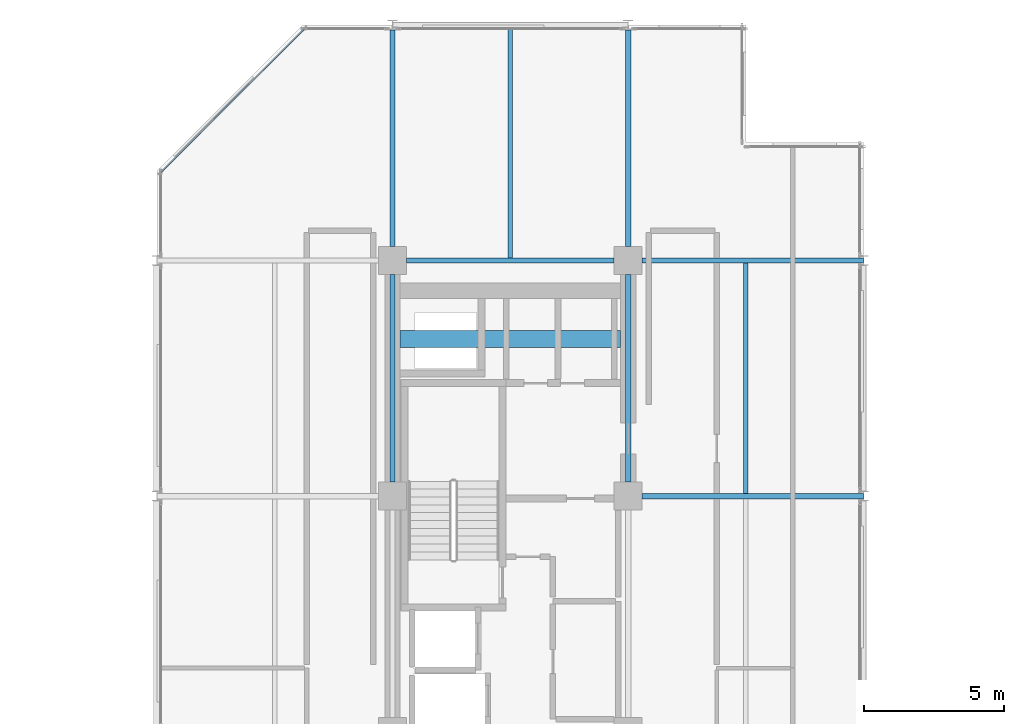
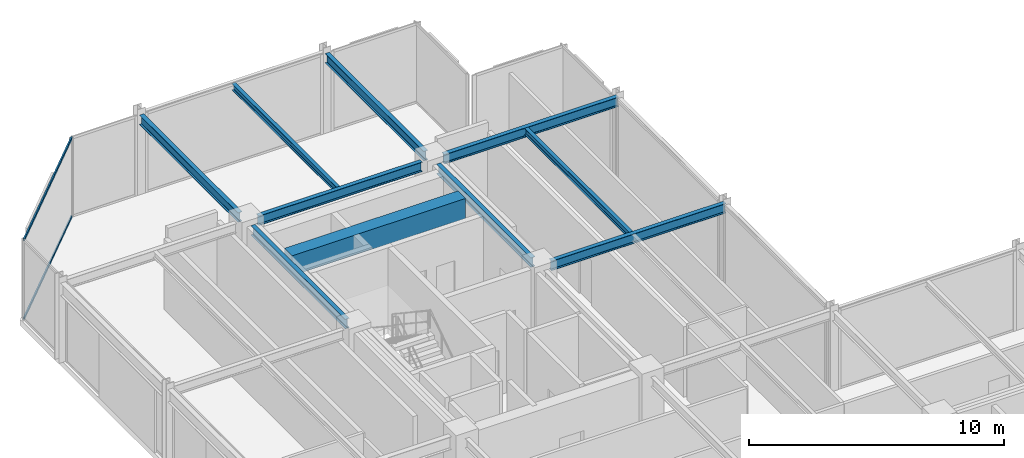
# One storey, part 18 of 29: 10 beams, 2 members, 1 element without a shape of its own.
"""IFC4 building model written with IfcOpenShell, lengths in metres."""

from ifc_helpers import new_model, si_unit, direction, frame, origin, origin_2d, place, context, subcontext, project, spatial, rectangle, hollow_rectangle, i_section, extrude, material, layer, layer_set, material_profile, profile_set, type_object, element, aggregate, save


model = new_model("IFC4")

# Units and contexts
model_context = context("Model", 3, precision=1e-05, world=origin(), true_north=direction((0.0, 1.0)))
body_context = subcontext(model_context, "Body", "Model", "MODEL_VIEW")
ifc_project = project(units=[si_unit("LENGTHUNIT", "METRE"), si_unit("AREAUNIT", "SQUARE_METRE"), si_unit("VOLUMEUNIT", "CUBIC_METRE"), si_unit("PLANEANGLEUNIT", "RADIAN"), si_unit("MASSUNIT", "GRAM", prefix="KILO")], contexts=[model_context])

# Site, building, storey
site_placement = place(None, origin())
site = spatial("IfcSite", under=ifc_project, at=site_placement, CompositionType="ELEMENT")
building_placement = place(site_placement, origin())
building = spatial("IfcBuilding", under=site, at=building_placement, Name="Nerrivon Quay Data Exchange", CompositionType="ELEMENT")
storey_placement = place(building_placement, frame((0.0, 0.0, 212.39990234375)))
storey = spatial("IfcBuildingStorey", under=building, at=storey_placement, Name="L50", CompositionType="ELEMENT", Elevation=212.39990234375)

# Beams
ifc_material_1 = material(Name="Concrete N50 (50 MPa)", Category="concrete")
ifc_material_profile_1 = material_profile(ifc_material_1, rectangle(XDim=0.60009765625, YDim=0.949951171875, at=origin_2d()), Name="RC-CB-600x950")
ifc_profile_set_1 = profile_set([ifc_material_profile_1], Name="Concrete N50 (50 MPa)")
beam_type_1 = type_object("IfcBeamType", Name="BM-CB2-600x950", PredefinedType="LINTEL", material=ifc_profile_set_1)
beam_1_placement = place(storey_placement, frame((8.675048828125, 39.199951171875, 3.35009765625), z_axis=(1.0, 0.0, 0.0), x_axis=(0.0, 1.0, 0.0)))
element("IfcBeam", 1, at=beam_1_placement, inside=storey, type_object=beam_type_1, Name="L50 West Core Coupling Beam", PredefinedType="LINTEL", context=body_context, shape_type="SweptSolid", body=[
    extrude(rectangle(XDim=0.60009765625, YDim=0.949951171875, at=origin_2d()), origin(), (0.0, 0.0, 1.0), 7.849853515625),
])
ifc_material_2 = material(Name="Steel Grade 350", Category="steel")
ifc_material_profile_2 = material_profile(ifc_material_2, i_section(OverallWidth=0.19091796875, OverallDepth=0.4599609375, WebThickness=0.010009765625, FlangeThickness=0.01611328125, FilletRadius=0.011474609375, at=origin_2d()), Name="460UB82.1")
ifc_profile_set_2 = profile_set([ifc_material_profile_2], Name="Steel Grade 350")
beam_type_2 = type_object("IfcBeamType", Name="BM-G5-460UB82", PredefinedType="BEAM", material=ifc_profile_set_2)
beam_2_placement = place(storey_placement, frame((17.300048828125, 33.60009765625, 3.59521484375), z_axis=(1.0, 0.0, 0.0), x_axis=(0.0, 1.0, 0.0)))
element("IfcBeam", 2, at=beam_2_placement, inside=storey, type_object=beam_type_2, Name="L50 EW Girder Y=33.6 (16.8..25.2)", PredefinedType="BEAM", context=body_context, shape_type="SweptSolid", body=[
    extrude(i_section(OverallWidth=0.19091796875, OverallDepth=0.4599609375, WebThickness=0.010009765625, FlangeThickness=0.01611328125, FilletRadius=0.011474609375, at=origin_2d()), origin(), (0.0, 0.0, 1.0), 7.889892578125),
])
beam_3_placement = place(storey_placement, frame((8.89990234375, 42.0, 3.59521484375), z_axis=(1.0, 0.0, 0.0), x_axis=(0.0, 1.0, 0.0)))
element("IfcBeam", 3, at=beam_3_placement, inside=storey, type_object=beam_type_2, Name="L50 EW Girder Y=42.0 (8.4..16.8)", PredefinedType="BEAM", context=body_context, shape_type="SweptSolid", body=[
    extrude(i_section(OverallWidth=0.19091796875, OverallDepth=0.4599609375, WebThickness=0.010009765625, FlangeThickness=0.01611328125, FilletRadius=0.011474609375, at=origin_2d()), origin(), (0.0, 0.0, 1.0), 7.400146484375),
])
beam_4_placement = place(storey_placement, frame((17.300048828125, 42.0, 3.59521484375), z_axis=(1.0, 0.0, 0.0), x_axis=(0.0, 1.0, 0.0)))
element("IfcBeam", 4, at=beam_4_placement, inside=storey, type_object=beam_type_2, Name="L50 EW Girder Y=42.0 (16.8..25.2)", PredefinedType="BEAM", context=body_context, shape_type="SweptSolid", body=[
    extrude(i_section(OverallWidth=0.19091796875, OverallDepth=0.4599609375, WebThickness=0.010009765625, FlangeThickness=0.01611328125, FilletRadius=0.011474609375, at=origin_2d()), origin(), (0.0, 0.0, 1.0), 7.889892578125),
])
ifc_material_profile_3 = material_profile(ifc_material_2, i_section(OverallWidth=0.18994140625, OverallDepth=0.4541015625, WebThickness=0.008544921875, FlangeThickness=0.0126953125, FilletRadius=0.011474609375, at=origin_2d()), Name="460UB67.1")
ifc_profile_set_3 = profile_set([ifc_material_profile_3], Name="Steel Grade 350")
beam_type_3 = type_object("IfcBeamType", Name="BM-G6-460UB67", PredefinedType="BEAM", material=ifc_profile_set_3)
beam_5_placement = place(storey_placement, frame((8.39990234375, 34.10009765625, 3.59814453125), z_axis=(0.0, 1.0, 0.0), x_axis=(-1.0, 0.0, 0.0)))
element("IfcBeam", 5, at=beam_5_placement, inside=storey, type_object=beam_type_3, Name="L50 NS Girder X=8.4 (33.6..42.0)", PredefinedType="BEAM", context=body_context, shape_type="SweptSolid", body=[
    extrude(i_section(OverallWidth=0.18994140625, OverallDepth=0.4541015625, WebThickness=0.008544921875, FlangeThickness=0.0126953125, FilletRadius=0.011474609375, at=origin_2d()), origin(), (0.0, 0.0, 1.0), 7.39990234375),
])
beam_6_placement = place(storey_placement, frame((8.39990234375, 42.5, 3.59814453125), z_axis=(0.0, 1.0, 0.0), x_axis=(-1.0, 0.0, 0.0)))
element("IfcBeam", 6, at=beam_6_placement, inside=storey, type_object=beam_type_3, Name="L50 NS Girder X=8.4 (42.0..50.4)", PredefinedType="BEAM", context=body_context, shape_type="SweptSolid", body=[
    extrude(i_section(OverallWidth=0.18994140625, OverallDepth=0.4541015625, WebThickness=0.008544921875, FlangeThickness=0.0126953125, FilletRadius=0.011474609375, at=origin_2d()), origin(), (0.0, 0.0, 1.0), 7.72509765625),
])
beam_7_placement = place(storey_placement, frame((16.800048828125, 34.10009765625, 3.59814453125), z_axis=(0.0, 1.0, 0.0), x_axis=(-1.0, 0.0, 0.0)))
element("IfcBeam", 7, at=beam_7_placement, inside=storey, type_object=beam_type_3, Name="L50 NS Girder X=16.8 (33.6..42.0)", PredefinedType="BEAM", context=body_context, shape_type="SweptSolid", body=[
    extrude(i_section(OverallWidth=0.18994140625, OverallDepth=0.4541015625, WebThickness=0.008544921875, FlangeThickness=0.0126953125, FilletRadius=0.011474609375, at=origin_2d()), origin(), (0.0, 0.0, 1.0), 7.39990234375),
])
beam_8_placement = place(storey_placement, frame((16.800048828125, 42.5, 3.59814453125), z_axis=(0.0, 1.0, 0.0), x_axis=(-1.0, 0.0, 0.0)))
element("IfcBeam", 8, at=beam_8_placement, inside=storey, type_object=beam_type_3, Name="L50 NS Girder X=16.8 (42.0..50.4)", PredefinedType="BEAM", context=body_context, shape_type="SweptSolid", body=[
    extrude(i_section(OverallWidth=0.18994140625, OverallDepth=0.4541015625, WebThickness=0.008544921875, FlangeThickness=0.0126953125, FilletRadius=0.011474609375, at=origin_2d()), origin(), (0.0, 0.0, 1.0), 7.72509765625),
])
ifc_material_profile_4 = material_profile(ifc_material_2, i_section(OverallWidth=0.166015625, OverallDepth=0.306884765625, WebThickness=0.006591796875, FlangeThickness=0.01171875, FilletRadius=0.011474609375, at=origin_2d()), Name="310UB46.2")
ifc_profile_set_4 = profile_set([ifc_material_profile_4], Name="Steel Grade 350")
beam_type_4 = type_object("IfcBeamType", Name="BM-J5-310UB46", PredefinedType="JOIST", material=ifc_profile_set_4)
beam_9_placement = place(storey_placement, frame((12.60009765625, 42.095458984375, 3.671630859375), z_axis=(0.0, 1.0, 0.0), x_axis=(-1.0, 0.0, 0.0)))
element("IfcBeam", 9, at=beam_9_placement, inside=storey, type_object=beam_type_4, Name="L50 Secondary Joist X=12.6 (42.0..50.4)", PredefinedType="JOIST", context=body_context, shape_type="SweptSolid", body=[
    extrude(i_section(OverallWidth=0.166015625, OverallDepth=0.306884765625, WebThickness=0.006591796875, FlangeThickness=0.01171875, FilletRadius=0.011474609375, at=origin_2d()), origin(), (0.0, 0.0, 1.0), 8.20458984375),
])
beam_10_placement = place(storey_placement, frame((21.0, 33.695556640625, 3.671630859375), z_axis=(0.0, 1.0, 0.0), x_axis=(-1.0, 0.0, 0.0)))
element("IfcBeam", 10, at=beam_10_placement, inside=storey, type_object=beam_type_4, Name="L50 Secondary Joist X=21.0 (33.6..42.0)", PredefinedType="JOIST", context=body_context, shape_type="SweptSolid", body=[
    extrude(i_section(OverallWidth=0.166015625, OverallDepth=0.306884765625, WebThickness=0.006591796875, FlangeThickness=0.01171875, FilletRadius=0.011474609375, at=origin_2d()), origin(), (0.0, 0.0, 1.0), 8.208984375),
])

# Curtain wall, members
ifc_material_3 = material(Name="Anodised aluminium 6063-T6", Category="aluminium")
ifc_layer = layer(ifc_material_3, 0.195068359375)
ifc_layer_set = layer_set([ifc_layer], Name="Anodised aluminium 6063-T6")
curtain_wall_type = type_object("IfcCurtainWallType", Name="CW-SYS-06", PredefinedType="NOTDEFINED", material=ifc_layer_set)
curtain_wall_placement = place(storey_placement, origin())
curtain_wall = element("IfcCurtainWall", 11, at=curtain_wall_placement, inside=storey, type_object=curtain_wall_type, Name="L50 Unitised Curtain Wall 7", PredefinedType="NOTDEFINED")
ifc_material_profile_5 = material_profile(ifc_material_3, hollow_rectangle(XDim=0.06005859375, YDim=0.1201171875, WallThickness=0.003173828125, at=origin_2d()), Name="ALU-TRAN-120x60")
ifc_profile_set_5 = profile_set([ifc_material_profile_5], Name="Anodised aluminium 6063-T6")
member_type = type_object("IfcMemberType", Name="CWT-120x60", PredefinedType="USERDEFINED", material=ifc_profile_set_5)
member_1_placement = place(storey_placement, frame((0.152099609375, 45.154052734375, 0.03271484375), z_axis=(0.707089835771, 0.707123726196, 0.0), x_axis=(-0.707123726196, 0.707089835771, 0.0)))
member_1 = element("IfcMember", 12, at=member_1_placement, type_object=member_type, Name="CW06 transom 1.1", ObjectType="TRANSOM", PredefinedType="USERDEFINED", context=body_context, shape_type="SweptSolid", body=[
    extrude(hollow_rectangle(XDim=0.06005859375, YDim=0.1201171875, WallThickness=0.003173828125, at=origin_2d()), origin(), (0.0, 0.0, 1.0), 7.203857421875),
])
member_2_placement = place(storey_placement, frame((0.152099609375, 45.154052734375, 3.79248046875), z_axis=(0.707089835771, 0.707123726196, 0.0), x_axis=(-0.707123726196, 0.707089835771, 0.0)))
member_2 = element("IfcMember", 13, at=member_2_placement, type_object=member_type, Name="CW06 transom 1.2", ObjectType="TRANSOM", PredefinedType="USERDEFINED", context=body_context, shape_type="SweptSolid", body=[
    extrude(hollow_rectangle(XDim=0.06005859375, YDim=0.1201171875, WallThickness=0.003173828125, at=origin_2d()), origin(), (0.0, 0.0, 1.0), 7.203857421875),
])
aggregate(curtain_wall, [member_1, member_2])

save(model, "model.ifc")
